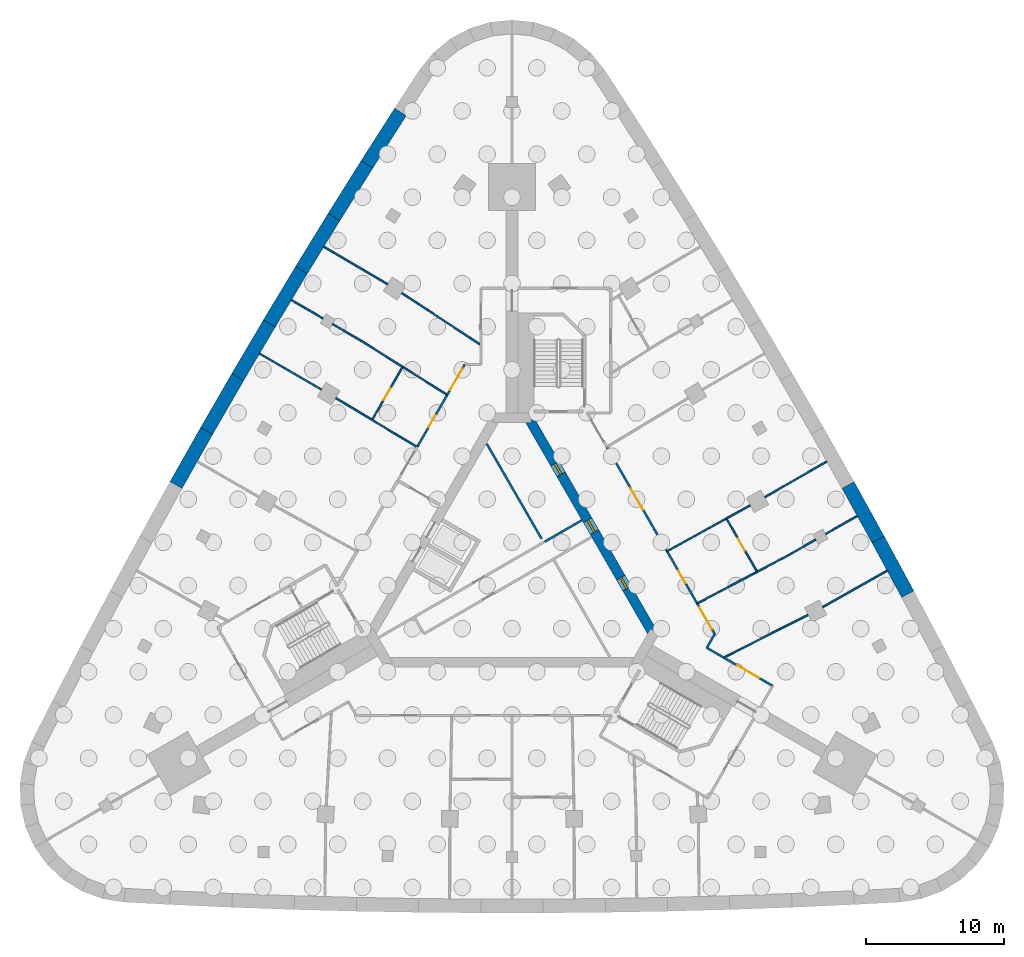
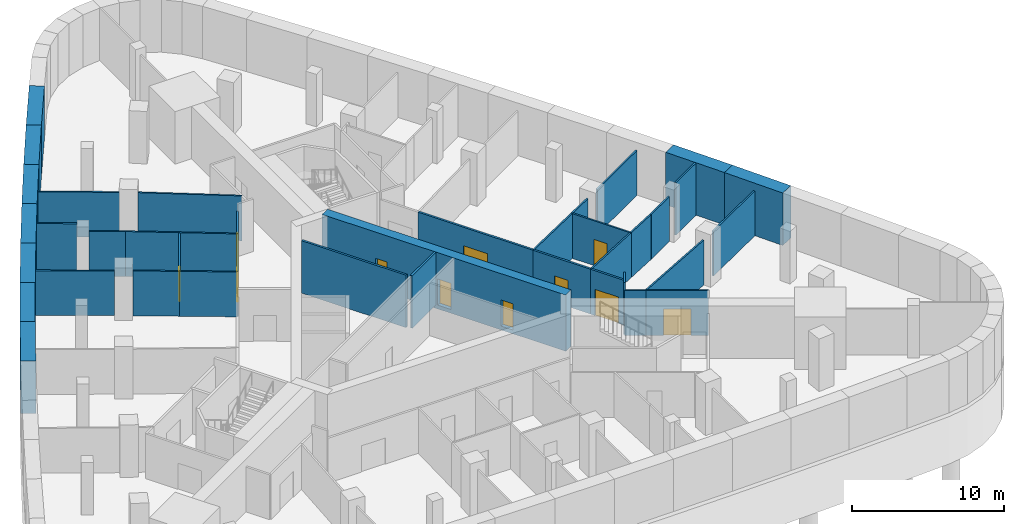
# One storey, part 5 of 9: 40 walls, 11 doors, 11 openings.
"""IFC4 building model written with IfcOpenShell, lengths in metres."""

from ifc_helpers import new_model, si_unit, direction, frame, frame_2d, origin, place, context, subcontext, project, spatial, polyline, rectangle, outline, extrude, material, layer, layer_set, type_object, element, fill, save


model = new_model("IFC4")

# Units and contexts
model_context = context("Model", 3, precision=1e-05, world=origin(), true_north=direction((0.0, 1.0)))
body_context = subcontext(model_context, "Body", "Model", "MODEL_VIEW")
ifc_project = project(units=[si_unit("LENGTHUNIT", "METRE"), si_unit("AREAUNIT", "SQUARE_METRE"), si_unit("VOLUMEUNIT", "CUBIC_METRE"), si_unit("PLANEANGLEUNIT", "RADIAN"), si_unit("MASSUNIT", "GRAM", prefix="KILO")], contexts=[model_context])

# Site, building, storey
site_placement = place(None, origin())
site = spatial("IfcSite", under=ifc_project, at=site_placement, CompositionType="ELEMENT")
building_placement = place(site_placement, origin())
building = spatial("IfcBuilding", under=site, at=building_placement, Name="Noor Cloister Tower", CompositionType="ELEMENT")
storey_placement = place(building_placement, frame((0.0, 0.0, -9.0)))
storey = spatial("IfcBuildingStorey", under=building, at=storey_placement, Name="B2", CompositionType="ELEMENT", Elevation=-9.0)

# Walls
ifc_material_1 = material(Name="Concrete C30/37", Category="concrete")
ifc_layer_1 = layer(ifc_material_1, 0.14990234375)
ifc_layer_set_1 = layer_set([ifc_layer_1], Name="Core partition 150 C30/37")
wall_type_1 = type_object("IfcWallType", Name="Core partition 150 C30/37", PredefinedType="PARTITIONING", material=ifc_layer_set_1)
wall_1_placement = place(storey_placement, frame((2.136962890625, 2.355224609375, 0.0), z_axis=(0.0, 0.0, 1.0), x_axis=(-0.500009612796, 0.866019853763, 0.0)))
element("IfcWall", 1, at=wall_1_placement, inside=storey, type_object=wall_type_1, Name="Core room partition B2 4", PredefinedType="PARTITIONING", context=body_context, shape_type="SweptSolid", body=[
    extrude(rectangle(XDim=7.923583984375, YDim=0.14990234375, at=frame_2d((3.9619140625, 0.0))), origin(), (0.0, 0.0, 1.0), 4.199951171875),
])
wall_2_placement = place(storey_placement, frame((2.3515625, 2.1328125, 0.0), z_axis=(0.0, 0.0, 1.0), x_axis=(0.866042488821, 0.49997040668, 0.0)))
element("IfcWall", 2, at=wall_2_placement, inside=storey, type_object=wall_type_1, Name="Core room partition B2 5", PredefinedType="PARTITIONING", context=body_context, shape_type="SweptSolid", body=[
    extrude(rectangle(XDim=3.125244140625, YDim=0.14990234375, at=frame_2d((1.5625, 0.0))), origin(), (0.0, 0.0, 1.0), 4.199951171875),
])

# Wall, openings, doors
ifc_material_2 = material(Name="Concrete C80/95", Category="concrete")
ifc_layer_2 = layer(ifc_material_2, 0.699951171875)
ifc_layer_set_2 = layer_set([ifc_layer_2], Name="Core wall 700 C80/95")
wall_type_2 = type_object("IfcWallType", Name="Core wall 700 C80/95", PredefinedType="SHEAR", material=ifc_layer_set_2)
wall_3_placement = place(storey_placement, frame((10.311279296875, -4.703125, -0.300048828125), z_axis=(0.0, 0.0, 1.0), x_axis=(-0.500001446645, 0.866024568562, 0.0)))
wall_3 = element("IfcWall", 3, at=wall_3_placement, inside=storey, type_object=wall_type_2, Name="Core wall B2 3", PredefinedType="SHEAR", context=body_context, shape_type="SweptSolid", body=[
    extrude(rectangle(XDim=18.45751953125, YDim=0.699951171875, at=frame_2d((9.228759765625, 0.0))), origin(), (0.0, 0.0, 1.0), 4.5),
])
opening_1_placement = place(wall_3_placement, frame((8.699951171875, 0.0, 0.300048828125)))
opening_1 = element("IfcOpeningElement", 4, at=opening_1_placement, cuts=wall_3, Name="Opening B2-901", PredefinedType="OPENING", context=body_context, shape_type="SweptSolid", body=[
    extrude(rectangle(XDim=1.0, YDim=2.10009765625, at=frame_2d((0.5, 1.050048828125))), frame((0.0, 0.35986328125, 0.0), z_axis=(0.0, -1.0, 0.0), x_axis=(1.0, 0.0, 0.0)), (0.0, 0.0, 1.0), 0.719970703125),
])
opening_2_placement = place(wall_3_placement, frame((4.002197265625, 0.0, 0.300048828125)))
opening_2 = element("IfcOpeningElement", 5, at=opening_2_placement, cuts=wall_3, Name="Opening B2-902", PredefinedType="OPENING", context=body_context, shape_type="SweptSolid", body=[
    extrude(rectangle(XDim=0.89990234375, YDim=2.10009765625, at=frame_2d((0.449951171875, 1.050048828125))), frame((0.0, 0.35986328125, 0.0), z_axis=(0.0, -1.0, 0.0), x_axis=(1.0, 0.0, 0.0)), (0.0, 0.0, 1.0), 0.719970703125),
])
opening_3_placement = place(wall_3_placement, frame((13.526611328125, 0.0, 0.300048828125)))
opening_3 = element("IfcOpeningElement", 6, at=opening_3_placement, cuts=wall_3, Name="Opening B2-903", PredefinedType="OPENING", context=body_context, shape_type="SweptSolid", body=[
    extrude(rectangle(XDim=0.89990234375, YDim=2.10009765625, at=frame_2d((0.449951171875, 1.050048828125))), frame((0.0, 0.35986328125, 0.0), z_axis=(0.0, -1.0, 0.0), x_axis=(1.0, 0.0, 0.0)), (0.0, 0.0, 1.0), 0.719970703125),
])
ifc_material_3 = material(Name="Steel", Category="steel")
door_type_1 = type_object("IfcDoorType", Name="Core door 1000 x 2100 FD120", OperationType="SINGLE_SWING_LEFT", PredefinedType="DOOR", material=ifc_material_3)
door_1_placement = place(opening_1_placement, origin())
door_1 = element("IfcDoor", 7, at=door_1_placement, inside=storey, type_object=door_type_1, Name="Core door 1 B2", OperationType="SINGLE_SWING_LEFT", OverallHeight=2.10009765625, OverallWidth=1.0, PredefinedType="DOOR", context=body_context, shape_type="SweptSolid", body=[
    extrude(rectangle(XDim=1.0, YDim=2.10009765625, at=frame_2d((0.5, 1.050048828125))), frame((0.0, 0.074951171875, 0.0), z_axis=(0.0, -1.0, 0.0), x_axis=(1.0, 0.0, 0.0)), (0.0, 0.0, 1.0), 0.14990234375),
])
fill(opening_1, door_1)
ifc_material_4 = material(Name="Steel", Category="steel")
door_type_2 = type_object("IfcDoorType", Name="Core door 900 x 2100 FD120", OperationType="SINGLE_SWING_LEFT", PredefinedType="DOOR", material=ifc_material_4)
door_2_placement = place(opening_3_placement, origin())
door_2 = element("IfcDoor", 8, at=door_2_placement, inside=storey, type_object=door_type_2, Name="Core door 3 B2", OperationType="SINGLE_SWING_LEFT", OverallHeight=2.10009765625, OverallWidth=0.89990234375, PredefinedType="DOOR", context=body_context, shape_type="SweptSolid", body=[
    extrude(rectangle(XDim=0.89990234375, YDim=2.10009765625, at=frame_2d((0.449951171875, 1.050048828125))), frame((0.0, 0.074951171875, 0.0), z_axis=(0.0, -1.0, 0.0), x_axis=(1.0, 0.0, 0.0)), (0.0, 0.0, 1.0), 0.14990234375),
])
fill(opening_3, door_2)
ifc_material_5 = material(Name="Steel", Category="steel")
door_type_3 = type_object("IfcDoorType", Name="Core door 900 x 2100 FD60", OperationType="SINGLE_SWING_LEFT", PredefinedType="DOOR", material=ifc_material_5)
door_3_placement = place(opening_2_placement, origin())
door_3 = element("IfcDoor", 9, at=door_3_placement, inside=storey, type_object=door_type_3, Name="Core door 2 B2", OperationType="SINGLE_SWING_RIGHT", OverallHeight=2.10009765625, OverallWidth=0.89990234375, PredefinedType="DOOR", context=body_context, shape_type="SweptSolid", body=[
    extrude(rectangle(XDim=0.89990234375, YDim=2.10009765625, at=frame_2d((0.449951171875, 1.050048828125))), frame((0.0, 0.074951171875, 0.0), z_axis=(0.0, -1.0, 0.0), x_axis=(1.0, 0.0, 0.0)), (0.0, 0.0, 1.0), 0.14990234375),
])
fill(opening_2, door_3)

# Wall, opening, door
ifc_material_6 = material(Name="Plasterboard on steel studs", Category="steel")
ifc_layer_3 = layer(ifc_material_6, 0.14990234375)
ifc_layer_set_3 = layer_set([ifc_layer_3], Name="Corridor wall 150")
wall_type_3 = type_object("IfcWallType", Name="Corridor wall 150", PredefinedType="PARTITIONING", material=ifc_layer_set_3)
wall_4_placement = place(storey_placement, frame((15.2958984375, -6.23291015625, 0.0), z_axis=(0.0, 0.0, 1.0), x_axis=(0.866035577775, -0.499982377718, 0.0)))
wall_4 = element("IfcWall", 10, at=wall_4_placement, inside=storey, type_object=wall_type_3, Name="Partition", PredefinedType="PARTITIONING", context=body_context, shape_type="SweptSolid", body=[
    extrude(rectangle(XDim=4.092529296875, YDim=0.14990234375, at=frame_2d((2.04638671875, 0.0))), origin(), (0.0, 0.0, 1.0), 3.587890625),
])
opening_4_placement = place(wall_4_placement, frame((1.14990234375, 0.0, 0.0)))
opening_4 = element("IfcOpeningElement", 11, at=opening_4_placement, cuts=wall_4, Name="Opening B2-010", PredefinedType="OPENING", context=body_context, shape_type="SweptSolid", body=[
    extrude(rectangle(XDim=1.800048828125, YDim=2.10009765625, at=frame_2d((0.89990234375, 1.050048828125))), frame((0.0, 0.0849609375, 0.0), z_axis=(0.0, -1.0, 0.0), x_axis=(1.0, 0.0, 0.0)), (0.0, 0.0, 1.0), 0.169921875),
])
ifc_material_7 = material(Name="Timber door leaf", Category="wood")
door_type_4 = type_object("IfcDoorType", Name="Double leaf door 1800", OperationType="DOUBLE_DOOR_SINGLE_SWING", PredefinedType="DOOR", material=ifc_material_7)
door_4_placement = place(opening_4_placement, origin())
door_4 = element("IfcDoor", 12, at=door_4_placement, inside=storey, type_object=door_type_4, Name="Door B2-010", OperationType="DOUBLE_DOOR_SINGLE_SWING", OverallHeight=2.10009765625, OverallWidth=1.800048828125, PredefinedType="DOOR", context=body_context, shape_type="SweptSolid", body=[
    extrude(rectangle(XDim=1.800048828125, YDim=2.10009765625, at=frame_2d((0.89990234375, 1.050048828125))), frame((0.0, 0.02490234375, 0.0), z_axis=(0.0, -1.0, 0.0), x_axis=(1.0, 0.0, 0.0)), (0.0, 0.0, 1.0), 0.050048828125),
])
fill(opening_4, door_4)

wall_5_placement = place(storey_placement, frame((13.382080078125, -2.321044921875, 0.0), z_axis=(0.0, 0.0, 1.0), x_axis=(0.500076401611, -0.8659812888, 0.0)))
wall_5 = element("IfcWall", 13, at=wall_5_placement, inside=storey, type_object=wall_type_3, Name="Partition", PredefinedType="PARTITIONING", context=body_context, shape_type="SweptSolid", body=[
    extrude(rectangle(XDim=2.54736328125, YDim=0.14990234375, at=frame_2d((1.273681640625, 0.0))), origin(), (0.0, 0.0, 1.0), 3.587890625),
])
opening_5_placement = place(wall_5_placement, frame((0.35009765625, 0.0, 0.0)))
opening_5 = element("IfcOpeningElement", 14, at=opening_5_placement, cuts=wall_5, Name="Opening B2-012", PredefinedType="OPENING", context=body_context, shape_type="SweptSolid", body=[
    extrude(rectangle(XDim=1.800048828125, YDim=2.10009765625, at=frame_2d((0.89990234375, 1.050048828125))), frame((0.0, 0.0849609375, 0.0), z_axis=(0.0, -1.0, 0.0), x_axis=(1.0, 0.0, 0.0)), (0.0, 0.0, 1.0), 0.169921875),
])
door_5_placement = place(opening_5_placement, origin())
door_5 = element("IfcDoor", 15, at=door_5_placement, inside=storey, type_object=door_type_4, Name="Door B2-012", OperationType="DOUBLE_DOOR_SINGLE_SWING", OverallHeight=2.10009765625, OverallWidth=1.800048828125, PredefinedType="DOOR", context=body_context, shape_type="SweptSolid", body=[
    extrude(rectangle(XDim=1.800048828125, YDim=2.10009765625, at=frame_2d((0.89990234375, 1.050048828125))), frame((0.0, 0.02490234375, 0.0), z_axis=(0.0, -1.0, 0.0), x_axis=(1.0, 0.0, 0.0)), (0.0, 0.0, 1.0), 0.050048828125),
])
fill(opening_5, door_5)

# Walls
wall_6_placement = place(storey_placement, frame((14.656005859375, -4.529052734375, 0.0), z_axis=(0.0, 0.0, 1.0), x_axis=(-0.500502949238, -0.865734831114, 0.0)))
element("IfcWall", 16, at=wall_6_placement, inside=storey, type_object=wall_type_3, Name="Partition", PredefinedType="PARTITIONING", context=body_context, shape_type="SweptSolid", body=[
    extrude(rectangle(XDim=1.155029296875, YDim=0.14990234375, at=frame_2d((0.57763671875, 0.0))), origin(), (0.0, 0.0, 1.0), 4.199951171875),
])
wall_7_placement = place(storey_placement, frame((14.077880859375, -5.529052734375, 0.0), z_axis=(0.0, 0.0, 1.0), x_axis=(0.866110865696, -0.499851946404, 0.0)))
element("IfcWall", 17, at=wall_7_placement, inside=storey, type_object=wall_type_3, Name="Partition", PredefinedType="PARTITIONING", context=body_context, shape_type="SweptSolid", body=[
    extrude(rectangle(XDim=1.41455078125, YDim=0.14990234375, at=frame_2d((0.707275390625, 0.0))), origin(), (0.0, 0.0, 1.0), 3.587890625),
])

# Wall, opening, door
wall_8_placement = place(storey_placement, frame((11.205078125, 1.449951171875, 0.0), z_axis=(0.0, 0.0, 1.0), x_axis=(0.500058412813, -0.865991676505, 0.0)))
wall_8 = element("IfcWall", 18, at=wall_8_placement, inside=storey, type_object=wall_type_3, Name="Partition", PredefinedType="PARTITIONING", context=body_context, shape_type="SweptSolid", body=[
    extrude(rectangle(XDim=4.361328125, YDim=0.14990234375, at=frame_2d((2.1806640625, 0.0))), origin(), (0.0, 0.0, 1.0), 3.587890625),
])
opening_6_placement = place(wall_8_placement, frame((1.64990234375, 0.0, 0.0)))
opening_6 = element("IfcOpeningElement", 19, at=opening_6_placement, cuts=wall_8, Name="Opening B2-013", PredefinedType="OPENING", context=body_context, shape_type="SweptSolid", body=[
    extrude(rectangle(XDim=1.0, YDim=2.10009765625, at=frame_2d((0.5, 1.050048828125))), frame((0.0, 0.0849609375, 0.0), z_axis=(0.0, -1.0, 0.0), x_axis=(1.0, 0.0, 0.0)), (0.0, 0.0, 1.0), 0.169921875),
])
ifc_material_8 = material(Name="Timber door leaf", Category="wood")
door_type_5 = type_object("IfcDoorType", Name="Clinic room door 1000", OperationType="SINGLE_SWING_LEFT", PredefinedType="DOOR", material=ifc_material_8)
door_6_placement = place(opening_6_placement, origin())
door_6 = element("IfcDoor", 20, at=door_6_placement, inside=storey, type_object=door_type_5, Name="Door B2-013", OperationType="SINGLE_SWING_LEFT", OverallHeight=2.10009765625, OverallWidth=1.0, PredefinedType="DOOR", context=body_context, shape_type="SweptSolid", body=[
    extrude(rectangle(XDim=1.0, YDim=2.10009765625, at=frame_2d((0.5, 1.050048828125))), frame((0.0, 0.02490234375, 0.0), z_axis=(0.0, -1.0, 0.0), x_axis=(1.0, 0.0, 0.0)), (0.0, 0.0, 1.0), 0.050048828125),
])
fill(opening_6, door_6)

wall_9_placement = place(storey_placement, frame((11.2060546875, 1.446044921875, 0.0), z_axis=(0.0, 0.0, 1.0), x_axis=(-0.499983976786, 0.866034654594, 0.0)))
wall_9 = element("IfcWall", 21, at=wall_9_placement, inside=storey, type_object=wall_type_3, Name="Partition", PredefinedType="PARTITIONING", context=body_context, shape_type="SweptSolid", body=[
    extrude(rectangle(XDim=8.700439453125, YDim=0.14990234375, at=frame_2d((4.35009765625, 0.0))), origin(), (0.0, 0.0, 1.0), 3.587890625),
])
opening_7_placement = place(wall_9_placement, frame((3.449951171875, 0.0, 0.0)))
opening_7 = element("IfcOpeningElement", 22, at=opening_7_placement, cuts=wall_9, Name="Opening B2-017", PredefinedType="OPENING", context=body_context, shape_type="SweptSolid", body=[
    extrude(rectangle(XDim=1.800048828125, YDim=2.10009765625, at=frame_2d((0.89990234375, 1.050048828125))), frame((0.0, 0.0849609375, 0.0), z_axis=(0.0, -1.0, 0.0), x_axis=(1.0, 0.0, 0.0)), (0.0, 0.0, 1.0), 0.169921875),
])
door_7_placement = place(opening_7_placement, origin())
door_7 = element("IfcDoor", 23, at=door_7_placement, inside=storey, type_object=door_type_4, Name="Door B2-017", OperationType="DOUBLE_DOOR_SINGLE_SWING", OverallHeight=2.10009765625, OverallWidth=1.800048828125, PredefinedType="DOOR", context=body_context, shape_type="SweptSolid", body=[
    extrude(rectangle(XDim=1.800048828125, YDim=2.10009765625, at=frame_2d((0.89990234375, 1.050048828125))), frame((0.0, 0.02490234375, 0.0), z_axis=(0.0, -1.0, 0.0), x_axis=(1.0, 0.0, 0.0)), (0.0, 0.0, 1.0), 0.050048828125),
])
fill(opening_7, door_7)

wall_10_placement = place(storey_placement, frame((-6.85791015625, 8.97900390625, 0.0), z_axis=(0.0, 0.0, 1.0), x_axis=(0.500105111742, 0.865964708986, 0.0)))
wall_10 = element("IfcWall", 24, at=wall_10_placement, inside=storey, type_object=wall_type_3, Name="Partition", PredefinedType="PARTITIONING", context=body_context, shape_type="SweptSolid", body=[
    extrude(rectangle(XDim=4.36279296875, YDim=0.14990234375, at=frame_2d((2.181396484375, 0.0))), origin(), (0.0, 0.0, 1.0), 3.587890625),
])
opening_8_placement = place(wall_10_placement, frame((1.64990234375, 0.0, 0.0)))
opening_8 = element("IfcOpeningElement", 25, at=opening_8_placement, cuts=wall_10, Name="Opening B2-018", PredefinedType="OPENING", context=body_context, shape_type="SweptSolid", body=[
    extrude(rectangle(XDim=1.0, YDim=2.10009765625, at=frame_2d((0.5, 1.050048828125))), frame((0.0, 0.0849609375, 0.0), z_axis=(0.0, -1.0, 0.0), x_axis=(1.0, 0.0, 0.0)), (0.0, 0.0, 1.0), 0.169921875),
])
door_8_placement = place(opening_8_placement, origin())
door_8 = element("IfcDoor", 26, at=door_8_placement, inside=storey, type_object=door_type_5, Name="Door B2-018", OperationType="SINGLE_SWING_LEFT", OverallHeight=2.10009765625, OverallWidth=1.0, PredefinedType="DOOR", context=body_context, shape_type="SweptSolid", body=[
    extrude(rectangle(XDim=1.0, YDim=2.10009765625, at=frame_2d((0.5, 1.050048828125))), frame((0.0, 0.02490234375, 0.0), z_axis=(0.0, -1.0, 0.0), x_axis=(1.0, 0.0, 0.0)), (0.0, 0.0, 1.0), 0.050048828125),
])
fill(opening_8, door_8)

wall_11_placement = place(storey_placement, frame((-3.406005859375, 14.9560546875, 0.0), z_axis=(0.0, 0.0, 1.0), x_axis=(-0.499999364504, -0.866025770688, 0.0)))
wall_11 = element("IfcWall", 27, at=wall_11_placement, inside=storey, type_object=wall_type_3, Name="Partition", PredefinedType="PARTITIONING", context=body_context, shape_type="SweptSolid", body=[
    extrude(rectangle(XDim=2.5439453125, YDim=0.14990234375, at=frame_2d((1.27197265625, 0.0))), origin(), (0.0, 0.0, 1.0), 3.587890625),
])
opening_9_placement = place(wall_11_placement, frame((0.35009765625, 0.0, 0.0)))
opening_9 = element("IfcOpeningElement", 28, at=opening_9_placement, cuts=wall_11, Name="Opening B2-022", PredefinedType="OPENING", context=body_context, shape_type="SweptSolid", body=[
    extrude(rectangle(XDim=1.800048828125, YDim=2.10009765625, at=frame_2d((0.89990234375, 1.050048828125))), frame((0.0, 0.0849609375, 0.0), z_axis=(0.0, -1.0, 0.0), x_axis=(1.0, 0.0, 0.0)), (0.0, 0.0, 1.0), 0.169921875),
])
door_9_placement = place(opening_9_placement, origin())
door_9 = element("IfcDoor", 29, at=door_9_placement, inside=storey, type_object=door_type_4, Name="Door B2-022", OperationType="DOUBLE_DOOR_SINGLE_SWING", OverallHeight=2.10009765625, OverallWidth=1.800048828125, PredefinedType="DOOR", context=body_context, shape_type="SweptSolid", body=[
    extrude(rectangle(XDim=1.800048828125, YDim=2.10009765625, at=frame_2d((0.89990234375, 1.050048828125))), frame((0.0, 0.02490234375, 0.0), z_axis=(0.0, -1.0, 0.0), x_axis=(1.0, 0.0, 0.0)), (0.0, 0.0, 1.0), 0.050048828125),
])
fill(opening_9, door_9)

# Walls
ifc_material_9 = material(Name="Concrete C50/60", Category="concrete")
ifc_layer_4 = layer(ifc_material_9, 1.0)
ifc_layer_set_4 = layer_set([ifc_layer_4], Name="Diaphragm wall 1000")
wall_type_4 = type_object("IfcWallType", Name="Diaphragm wall 1000", PredefinedType="SOLIDWALL", material=ifc_layer_set_4)
wall_12_placement = place(storey_placement, origin())
element("IfcWall", 30, at=wall_12_placement, inside=storey, type_object=wall_type_4, Name="Basement wall 12", PredefinedType="SOLIDWALL", context=body_context, shape_type="SweptSolid", body=[
    extrude(outline(polyline([(-8.486083984375, 33.466796875), (-10.908935546875, 29.674560546875), (-10.063720703125, 29.139892578125), (-7.6455078125, 32.925048828125), (-8.486083984375, 33.466796875)])), origin(), (0.0, 0.0, 1.0), 4.199951171875),
])
wall_13_placement = place(storey_placement, origin())
element("IfcWall", 31, at=wall_13_placement, inside=storey, type_object=wall_type_4, Name="Basement wall 13", PredefinedType="SOLIDWALL", context=body_context, shape_type="SweptSolid", body=[
    extrude(outline(polyline([(-10.908935546875, 29.674560546875), (-13.29736328125, 25.86083984375), (-12.447509765625, 25.333740234375), (-10.063720703125, 29.139892578125), (-10.908935546875, 29.674560546875)])), origin(), (0.0, 0.0, 1.0), 4.199951171875),
])
wall_14_placement = place(storey_placement, origin())
element("IfcWall", 32, at=wall_14_placement, inside=storey, type_object=wall_type_4, Name="Basement wall 14", PredefinedType="SOLIDWALL", context=body_context, shape_type="SweptSolid", body=[
    extrude(outline(polyline([(-13.29736328125, 25.86083984375), (-15.651611328125, 22.02587890625), (-14.797119140625, 21.50634765625), (-12.447509765625, 25.333740234375), (-13.29736328125, 25.86083984375)])), origin(), (0.0, 0.0, 1.0), 4.199951171875),
])
wall_15_placement = place(storey_placement, origin())
element("IfcWall", 33, at=wall_15_placement, inside=storey, type_object=wall_type_4, Name="Basement wall 15", PredefinedType="SOLIDWALL", context=body_context, shape_type="SweptSolid", body=[
    extrude(outline(polyline([(-15.651611328125, 22.02587890625), (-17.971435546875, 18.169677734375), (-17.112060546875, 17.658203125), (-14.797119140625, 21.50634765625), (-15.651611328125, 22.02587890625)])), origin(), (0.0, 0.0, 1.0), 4.199951171875),
])
wall_16_placement = place(storey_placement, origin())
element("IfcWall", 34, at=wall_16_placement, inside=storey, type_object=wall_type_4, Name="Basement wall 16", PredefinedType="SOLIDWALL", context=body_context, shape_type="SweptSolid", body=[
    extrude(outline(polyline([(-17.971435546875, 18.169677734375), (-20.25634765625, 14.29296875), (-19.392578125, 13.7890625), (-17.112060546875, 17.658203125), (-17.971435546875, 18.169677734375)])), origin(), (0.0, 0.0, 1.0), 4.199951171875),
])
wall_17_placement = place(storey_placement, origin())
element("IfcWall", 35, at=wall_17_placement, inside=storey, type_object=wall_type_4, Name="Basement wall 17", PredefinedType="SOLIDWALL", context=body_context, shape_type="SweptSolid", body=[
    extrude(outline(polyline([(-20.25634765625, 14.29296875), (-22.50634765625, 10.39599609375), (-21.637939453125, 9.89990234375), (-19.392578125, 13.7890625), (-20.25634765625, 14.29296875)])), origin(), (0.0, 0.0, 1.0), 4.199951171875),
])
wall_18_placement = place(storey_placement, origin())
element("IfcWall", 36, at=wall_18_placement, inside=storey, type_object=wall_type_4, Name="Basement wall 18", PredefinedType="SOLIDWALL", context=body_context, shape_type="SweptSolid", body=[
    extrude(outline(polyline([(-22.50634765625, 10.39599609375), (-24.72119140625, 6.478759765625), (-23.848388671875, 5.990478515625), (-21.637939453125, 9.89990234375), (-22.50634765625, 10.39599609375)])), origin(), (0.0, 0.0, 1.0), 4.199951171875),
])
wall_19_placement = place(storey_placement, origin())
element("IfcWall", 37, at=wall_19_placement, inside=storey, type_object=wall_type_4, Name="Basement wall 60", PredefinedType="SOLIDWALL", context=body_context, shape_type="SweptSolid", body=[
    extrude(outline(polyline([(29.044921875, -1.41455078125), (26.900634765625, 2.541748046875), (26.023681640625, 2.0615234375), (28.16357421875, -1.886962890625), (29.044921875, -1.41455078125)])), origin(), (0.0, 0.0, 1.0), 4.199951171875),
])
wall_20_placement = place(storey_placement, origin())
element("IfcWall", 38, at=wall_20_placement, inside=storey, type_object=wall_type_4, Name="Basement wall 61", PredefinedType="SOLIDWALL", context=body_context, shape_type="SweptSolid", body=[
    extrude(outline(polyline([(26.900634765625, 2.541748046875), (24.72119140625, 6.478759765625), (23.848388671875, 5.990478515625), (26.023681640625, 2.0615234375), (26.900634765625, 2.541748046875)])), origin(), (0.0, 0.0, 1.0), 4.199951171875),
])
ifc_material_10 = material(Name="Plasterboard on steel studs", Category="steel")
ifc_layer_5 = layer(ifc_material_10, 0.1201171875)
ifc_layer_set_5 = layer_set([ifc_layer_5], Name="Partition wall 120")
wall_type_5 = type_object("IfcWallType", Name="Partition wall 120", PredefinedType="PARTITIONING", material=ifc_layer_set_5)
wall_21_placement = place(storey_placement, frame((21.40087890625, -3.14990234375, 0.0), z_axis=(0.0, 0.0, 1.0), x_axis=(-0.892483368892, -0.451080299117, 0.0)))
element("IfcWall", 39, at=wall_21_placement, inside=storey, type_object=wall_type_5, Name="Partition", PredefinedType="PARTITIONING", context=body_context, shape_type="SweptSolid", body=[
    extrude(rectangle(XDim=6.8369140625, YDim=0.1201171875, at=frame_2d((3.41845703125, 0.0))), origin(), (0.0, 0.0, 1.0), 3.587890625),
])
wall_22_placement = place(storey_placement, frame((27.115966796875, 0.047119140625, 0.0), z_axis=(0.0, 0.0, 1.0), x_axis=(-0.87056283872, -0.492057256668, 0.0)))
element("IfcWall", 40, at=wall_22_placement, inside=storey, type_object=wall_type_5, Name="Partition", PredefinedType="PARTITIONING", context=body_context, shape_type="SweptSolid", body=[
    extrude(rectangle(XDim=5.34716796875, YDim=0.1201171875, at=frame_2d((2.673583984375, 0.0))), origin(), (0.0, 0.0, 1.0), 3.5830078125),
])
wall_23_placement = place(storey_placement, frame((17.717041015625, -0.032958984375, 0.0), z_axis=(0.0, 0.0, 1.0), x_axis=(-0.884034960309, -0.467420783611, 0.0)))
element("IfcWall", 41, at=wall_23_placement, inside=storey, type_object=wall_type_5, Name="Partition", PredefinedType="PARTITIONING", context=body_context, shape_type="SweptSolid", body=[
    extrude(rectangle(XDim=4.9013671875, YDim=0.1201171875, at=frame_2d((2.45068359375, 0.0))), origin(), (0.0, 0.0, 1.0), 3.587890625),
])
wall_24_placement = place(storey_placement, frame((21.958984375, 2.294921875, 0.0), z_axis=(0.0, 0.0, 1.0), x_axis=(-0.868831589773, -0.49510773435, 0.0)))
element("IfcWall", 42, at=wall_24_placement, inside=storey, type_object=wall_type_5, Name="Partition", PredefinedType="PARTITIONING", context=body_context, shape_type="SweptSolid", body=[
    extrude(rectangle(XDim=2.3974609375, YDim=0.1201171875, at=frame_2d((1.19873046875, 0.0))), origin(), (0.0, 0.0, 1.0), 3.587890625),
])
wall_25_placement = place(storey_placement, frame((19.875, 1.10791015625, 0.0), z_axis=(0.0, 0.0, 1.0), x_axis=(-0.884133328187, -0.467234692621, 0.0)))
element("IfcWall", 43, at=wall_25_placement, inside=storey, type_object=wall_type_5, Name="Partition", PredefinedType="PARTITIONING", context=body_context, shape_type="SweptSolid", body=[
    extrude(rectangle(XDim=2.439697265625, YDim=0.1201171875, at=frame_2d((1.2197265625, 0.0))), origin(), (0.0, 0.0, 1.0), 3.587890625),
])
wall_26_placement = place(storey_placement, frame((24.950927734375, 3.9990234375, 0.0), z_axis=(0.0, 0.0, 1.0), x_axis=(-0.868958412069, -0.494885116057, 0.0)))
element("IfcWall", 44, at=wall_26_placement, inside=storey, type_object=wall_type_5, Name="Partition", PredefinedType="PARTITIONING", context=body_context, shape_type="SweptSolid", body=[
    extrude(rectangle(XDim=2.643310546875, YDim=0.1201171875, at=frame_2d((1.32177734375, 0.0))), origin(), (0.0, 0.0, 1.0), 4.199951171875),
])

# Wall, opening, door
wall_27_placement = place(storey_placement, frame((17.717041015625, -0.031982421875, 0.0), z_axis=(0.0, 0.0, 1.0), x_axis=(-0.499892115999, 0.866087681682, 0.0)))
wall_27 = element("IfcWall", 45, at=wall_27_placement, inside=storey, type_object=wall_type_5, Name="Partition", PredefinedType="PARTITIONING", context=body_context, shape_type="SweptSolid", body=[
    extrude(rectangle(XDim=4.44287109375, YDim=0.1201171875, at=frame_2d((2.221435546875, 0.0))), origin(), (0.0, 0.0, 1.0), 3.587890625),
])
opening_10_placement = place(wall_27_placement, frame((1.75, 0.0, 0.0)))
opening_10 = element("IfcOpeningElement", 46, at=opening_10_placement, cuts=wall_27, Name="Opening B2-015", PredefinedType="OPENING", context=body_context, shape_type="SweptSolid", body=[
    extrude(rectangle(XDim=1.0, YDim=2.10009765625, at=frame_2d((0.5, 1.050048828125))), frame((0.0, 0.070068359375, 0.0), z_axis=(0.0, -1.0, 0.0), x_axis=(1.0, 0.0, 0.0)), (0.0, 0.0, 1.0), 0.14013671875),
])
door_10_placement = place(opening_10_placement, origin())
door_10 = element("IfcDoor", 47, at=door_10_placement, inside=storey, type_object=door_type_5, Name="Door B2-015", OperationType="SINGLE_SWING_LEFT", OverallHeight=2.10009765625, OverallWidth=1.0, PredefinedType="DOOR", context=body_context, shape_type="SweptSolid", body=[
    extrude(rectangle(XDim=1.0, YDim=2.10009765625, at=frame_2d((0.5, 1.050048828125))), frame((0.0, 0.02490234375, 0.0), z_axis=(0.0, -1.0, 0.0), x_axis=(1.0, 0.0, 0.0)), (0.0, 0.0, 1.0), 0.050048828125),
])
fill(opening_10, door_10)

# Walls
wall_28_placement = place(storey_placement, frame((15.5, 3.819091796875, 0.0), z_axis=(0.0, 0.0, 1.0), x_axis=(-0.875141691654, -0.483866737365, 0.0)))
element("IfcWall", 48, at=wall_28_placement, inside=storey, type_object=wall_type_5, Name="Partition", PredefinedType="PARTITIONING", context=body_context, shape_type="SweptSolid", body=[
    extrude(rectangle(XDim=4.904296875, YDim=0.1201171875, at=frame_2d((2.4521484375, 0.0))), origin(), (0.0, 0.0, 1.0), 3.587890625),
])
wall_29_placement = place(storey_placement, frame((17.214111328125, 4.76708984375, 0.0), z_axis=(0.0, 0.0, 1.0), x_axis=(-0.875150297984, -0.48385117127, 0.0)))
element("IfcWall", 49, at=wall_29_placement, inside=storey, type_object=wall_type_5, Name="Partition", PredefinedType="PARTITIONING", context=body_context, shape_type="SweptSolid", body=[
    extrude(rectangle(XDim=1.9677734375, YDim=0.1201171875, at=frame_2d((0.98388671875, 0.0))), origin(), (0.0, 0.0, 1.0), 3.587890625),
])
wall_30_placement = place(storey_placement, frame((22.7509765625, 7.931884765625, 0.0), z_axis=(0.0, 0.0, 1.0), x_axis=(-0.867438170848, -0.497544992695, 0.0)))
element("IfcWall", 50, at=wall_30_placement, inside=storey, type_object=wall_type_5, Name="Partition", PredefinedType="PARTITIONING", context=body_context, shape_type="SweptSolid", body=[
    extrude(rectangle(XDim=5.17724609375, YDim=0.1201171875, at=frame_2d((2.588623046875, 0.0))), origin(), (0.0, 0.0, 1.0), 3.5830078125),
])
wall_31_placement = place(storey_placement, frame((-6.85693359375, 8.98291015625, 0.0), z_axis=(0.0, 0.0, 1.0), x_axis=(-0.85673770383, 0.515752369685, 0.0)))
element("IfcWall", 51, at=wall_31_placement, inside=storey, type_object=wall_type_5, Name="Partition", PredefinedType="PARTITIONING", context=body_context, shape_type="SweptSolid", body=[
    extrude(rectangle(XDim=3.79833984375, YDim=0.1201171875, at=frame_2d((1.899169921875, 0.0))), origin(), (0.0, 0.0, 1.0), 3.587890625),
])
wall_32_placement = place(storey_placement, frame((-13.76904296875, 13.135009765625, 0.0), z_axis=(0.0, 0.0, 1.0), x_axis=(-0.864615819332, 0.502433562734, 0.0)))
element("IfcWall", 52, at=wall_32_placement, inside=storey, type_object=wall_type_5, Name="Partition", PredefinedType="PARTITIONING", context=body_context, shape_type="SweptSolid", body=[
    extrude(rectangle(XDim=5.177001953125, YDim=0.1201171875, at=frame_2d((2.58837890625, 0.0))), origin(), (0.0, 0.0, 1.0), 3.5830078125),
])
wall_33_placement = place(storey_placement, frame((-10.112060546875, 10.943115234375, 0.0), z_axis=(0.0, 0.0, 1.0), x_axis=(-0.856570361658, 0.516030246719, 0.0)))
element("IfcWall", 53, at=wall_33_placement, inside=storey, type_object=wall_type_5, Name="Partition", PredefinedType="PARTITIONING", context=body_context, shape_type="SweptSolid", body=[
    extrude(rectangle(XDim=3.0634765625, YDim=0.1201171875, at=frame_2d((1.53173828125, 0.0))), origin(), (0.0, 0.0, 1.0), 3.587890625),
])

# Wall, opening, door
wall_34_placement = place(storey_placement, frame((-7.89892578125, 14.77392578125, 0.0), z_axis=(0.0, 0.0, 1.0), x_axis=(-0.49990879683, -0.866078053556, 0.0)))
wall_34 = element("IfcWall", 54, at=wall_34_placement, inside=storey, type_object=wall_type_5, Name="Partition", PredefinedType="PARTITIONING", context=body_context, shape_type="SweptSolid", body=[
    extrude(rectangle(XDim=4.423095703125, YDim=0.1201171875, at=frame_2d((2.21142578125, 0.0))), origin(), (0.0, 0.0, 1.0), 3.587890625),
])
opening_11_placement = place(wall_34_placement, frame((1.75, 0.0, 0.0)))
opening_11 = element("IfcOpeningElement", 55, at=opening_11_placement, cuts=wall_34, Name="Opening B2-020", PredefinedType="OPENING", context=body_context, shape_type="SweptSolid", body=[
    extrude(rectangle(XDim=1.0, YDim=2.10009765625, at=frame_2d((0.5, 1.050048828125))), frame((0.0, 0.070068359375, 0.0), z_axis=(0.0, -1.0, 0.0), x_axis=(1.0, 0.0, 0.0)), (0.0, 0.0, 1.0), 0.14013671875),
])
door_11_placement = place(opening_11_placement, origin())
door_11 = element("IfcDoor", 56, at=door_11_placement, inside=storey, type_object=door_type_5, Name="Door B2-020", OperationType="SINGLE_SWING_LEFT", OverallHeight=2.10009765625, OverallWidth=1.0, PredefinedType="DOOR", context=body_context, shape_type="SweptSolid", body=[
    extrude(rectangle(XDim=1.0, YDim=2.10009765625, at=frame_2d((0.5, 1.050048828125))), frame((0.0, 0.02490234375, 0.0), z_axis=(0.0, -1.0, 0.0), x_axis=(1.0, 0.0, 0.0)), (0.0, 0.0, 1.0), 0.050048828125),
])
fill(opening_11, door_11)

# Walls
wall_35_placement = place(storey_placement, frame((-4.679931640625, 12.7529296875, 0.0), z_axis=(0.0, 0.0, 1.0), x_axis=(-0.846850349589, 0.53183125651, 0.0)))
element("IfcWall", 57, at=wall_35_placement, inside=storey, type_object=wall_type_5, Name="Partition", PredefinedType="PARTITIONING", context=body_context, shape_type="SweptSolid", body=[
    extrude(rectangle(XDim=3.80615234375, YDim=0.1201171875, at=frame_2d((1.903076171875, 0.0))), origin(), (0.0, 0.0, 1.0), 3.587890625),
])
wall_36_placement = place(storey_placement, frame((-13.657958984375, 18.27294921875, 0.0), z_axis=(0.0, 0.0, 1.0), x_axis=(-0.863057686295, 0.505105365371, 0.0)))
element("IfcWall", 58, at=wall_36_placement, inside=storey, type_object=wall_type_5, Name="Partition", PredefinedType="PARTITIONING", context=body_context, shape_type="SweptSolid", body=[
    extrude(rectangle(XDim=2.642822265625, YDim=0.1201171875, at=frame_2d((1.3212890625, 0.0))), origin(), (0.0, 0.0, 1.0), 4.199951171875),
])
wall_37_placement = place(storey_placement, frame((-7.89501953125, 14.77197265625, 0.0), z_axis=(0.0, 0.0, 1.0), x_axis=(-0.846835904525, 0.53185425711, 0.0)))
element("IfcWall", 59, at=wall_37_placement, inside=storey, type_object=wall_type_5, Name="Partition", PredefinedType="PARTITIONING", context=body_context, shape_type="SweptSolid", body=[
    extrude(rectangle(XDim=3.546142578125, YDim=0.1201171875, at=frame_2d((1.77294921875, 0.0))), origin(), (0.0, 0.0, 1.0), 3.587890625),
])
wall_38_placement = place(storey_placement, frame((-10.89794921875, 16.657958984375, 0.0), z_axis=(0.0, 0.0, 1.0), x_axis=(-0.863161652457, 0.504927679701, 0.0)))
element("IfcWall", 60, at=wall_38_placement, inside=storey, type_object=wall_type_5, Name="Partition", PredefinedType="PARTITIONING", context=body_context, shape_type="SweptSolid", body=[
    extrude(rectangle(XDim=2.398193359375, YDim=0.1201171875, at=frame_2d((1.19921875, 0.0))), origin(), (0.0, 0.0, 1.0), 3.587890625),
])
wall_39_placement = place(storey_placement, frame((-8.991943359375, 20.742919921875, 0.0), z_axis=(0.0, 0.0, 1.0), x_axis=(-0.861446814084, 0.507847798563, 0.0)))
element("IfcWall", 61, at=wall_39_placement, inside=storey, type_object=wall_type_5, Name="Partition", PredefinedType="PARTITIONING", context=body_context, shape_type="SweptSolid", body=[
    extrude(rectangle(XDim=5.34814453125, YDim=0.1201171875, at=frame_2d((2.674072265625, 0.0))), origin(), (0.0, 0.0, 1.0), 3.5830078125),
])
wall_40_placement = place(storey_placement, frame((-2.251953125, 16.366943359375, 0.0), z_axis=(0.0, 0.0, 1.0), x_axis=(-0.83688089218, 0.547385031129, 0.0)))
element("IfcWall", 62, at=wall_40_placement, inside=storey, type_object=wall_type_5, Name="Partition", PredefinedType="PARTITIONING", context=body_context, shape_type="SweptSolid", body=[
    extrude(rectangle(XDim=6.8359375, YDim=0.1201171875, at=frame_2d((3.41796875, 0.0))), origin(), (0.0, 0.0, 1.0), 3.587890625),
])

save(model, "model.ifc")
